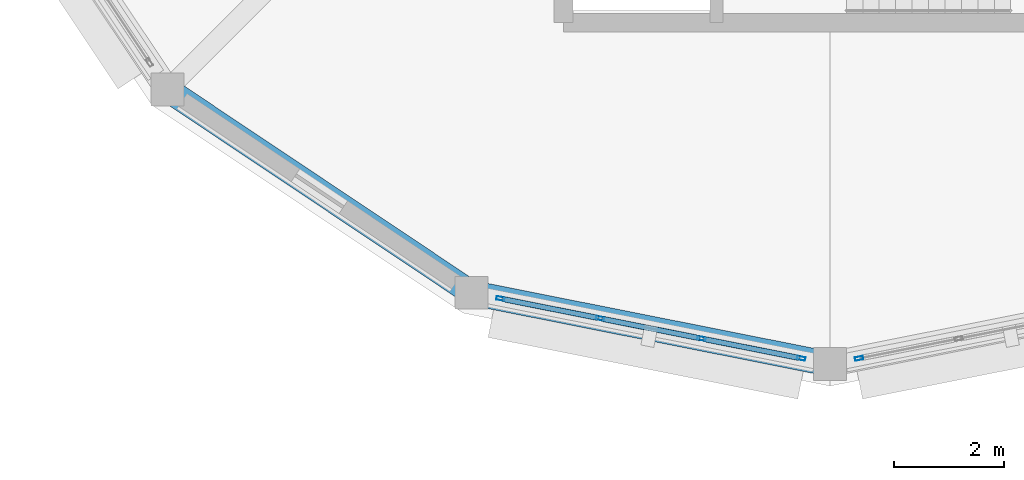
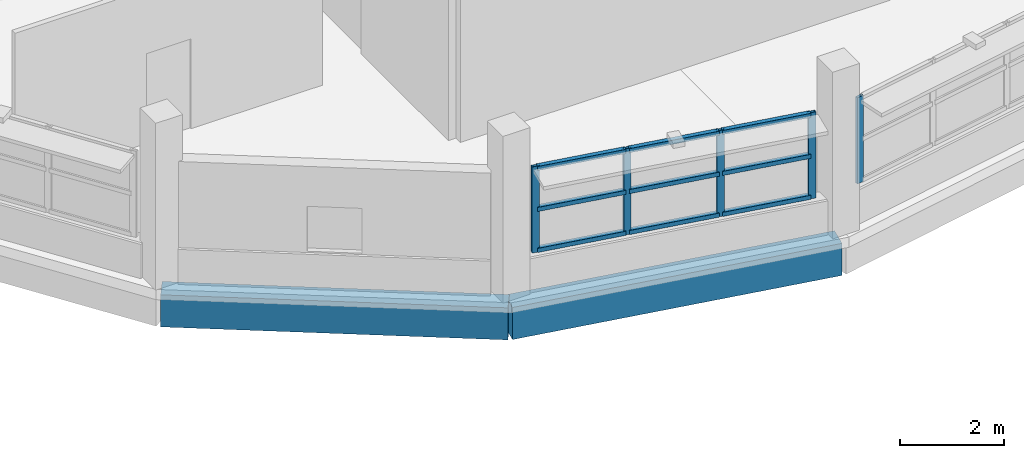
# One storey, part 64 of 121: 14 members, 2 beams, 2 elements without a shape of their own.
"""IFC4 building model written with IfcOpenShell, lengths in metres."""

from ifc_helpers import new_model, si_unit, direction, frame, origin, origin_2d, place, context, subcontext, project, spatial, rectangle, hollow_rectangle, extrude, material, layer, layer_set, material_profile, profile_set, type_object, element, aggregate, save


model = new_model("IFC4")

# Units and contexts
model_context = context("Model", 3, precision=1e-05, world=origin(), true_north=direction((0.0, 1.0)))
body_context = subcontext(model_context, "Body", "Model", "MODEL_VIEW")
ifc_project = project(units=[si_unit("LENGTHUNIT", "METRE"), si_unit("AREAUNIT", "SQUARE_METRE"), si_unit("VOLUMEUNIT", "CUBIC_METRE"), si_unit("PLANEANGLEUNIT", "RADIAN"), si_unit("MASSUNIT", "GRAM", prefix="KILO")], contexts=[model_context])

# Site, building, storey
site_placement = place(None, origin())
site = spatial("IfcSite", under=ifc_project, at=site_placement, CompositionType="ELEMENT")
building_placement = place(site_placement, origin())
building = spatial("IfcBuilding", under=site, at=building_placement, Name="Vespera Passage Community Centre", CompositionType="ELEMENT")
storey_placement = place(building_placement, frame((0.0, 0.0, 8.699951171875)))
storey = spatial("IfcBuildingStorey", under=building, at=storey_placement, Name="L02", CompositionType="ELEMENT", Elevation=8.699951171875)

# Beams
ifc_material_1 = material(Name="Concrete f'c 35 MPa", Category="concrete")
ifc_material_profile_1 = material_profile(ifc_material_1, rectangle(XDim=0.449951171875, YDim=0.75, at=origin_2d()), Name="RC450X750")
ifc_profile_set_1 = profile_set([ifc_material_profile_1], Name="Concrete f'c 35 MPa")
beam_type = type_object("IfcBeamType", Name="BM-SP-450X750E", PredefinedType="SPANDREL", material=ifc_profile_set_1)
for number, where, z_axis, x_axis, name in (
    (1, (128.908447265625, 12.908447265625, -0.614990234375), (0.831470004276, -0.55556964639, 0.0), (0.55556964639, 0.831470004276, 0.0), "V3 L02 Spandrel 11"),
    (2, (134.4560546875, 9.20166015625, -0.614990234375), (0.980782809509, -0.195102743632, 0.0), (0.195102743632, 0.980782809509, 0.0), "V3 L02 Spandrel 12"),
):
    element("IfcBeam", number, at=place(storey_placement, frame(where, z_axis=z_axis, x_axis=x_axis)), inside=storey, type_object=beam_type, Name=name, PredefinedType="SPANDREL", context=body_context, shape_type="SweptSolid", body=[
        extrude(rectangle(XDim=0.449951171875, YDim=0.75, at=origin_2d()), origin(), (0.0, 0.0, 1.0), 6.672119140625),
    ])

# Curtain wall, members
ifc_material_2 = material(Name="Anodized aluminium 6063-T6", Category="aluminium")
ifc_layer = layer(ifc_material_2, 0.159912109375)
ifc_layer_set = layer_set([ifc_layer], Name="Anodized aluminium 6063-T6")
curtain_wall_type = type_object("IfcCurtainWallType", Name="CW-108E", PredefinedType="NOTDEFINED", material=ifc_layer_set)
curtain_wall_1_placement = place(storey_placement, origin())
curtain_wall_1 = element("IfcCurtainWall", 3, at=curtain_wall_1_placement, inside=storey, type_object=curtain_wall_type, Name="Dining Drum Ribbon Curtain Wall L02.12", PredefinedType="NOTDEFINED")
ifc_material_3 = material(Name="Anodized aluminium 6063-T6", Category="aluminium")
ifc_material_profile_2 = material_profile(ifc_material_3, hollow_rectangle(XDim=0.06494140625, YDim=0.14990234375, WallThickness=0.00390625, InnerFilletRadius=0.001953125, OuterFilletRadius=0.00390625, at=origin_2d()), Name="ALU150X65X4")
ifc_profile_set_2 = profile_set([ifc_material_profile_2], Name="Anodized aluminium 6063-T6")
member_type_1 = type_object("IfcMemberType", Name="MB-CWM-150E", PredefinedType="MULLION", material=ifc_profile_set_2)
member_1_placement = place(storey_placement, frame((140.471923828125, 8.005126953125, 0.800048828125), z_axis=(0.0, 0.0, 1.0), x_axis=(-0.195096778691, -0.980783996069, 0.0)))
member_1 = element("IfcMember", 4, at=member_1_placement, type_object=member_type_1, Name="CW-108E mullion 1", PredefinedType="MULLION", context=body_context, shape_type="SweptSolid", body=[
    extrude(hollow_rectangle(XDim=0.06494140625, YDim=0.14990234375, WallThickness=0.00390625, InnerFilletRadius=0.001953125, OuterFilletRadius=0.00390625, at=origin_2d()), origin(), (0.0, 0.0, 1.0), 2.014892578125),
])
member_2_placement = place(storey_placement, frame((138.6533203125, 8.36669921875, 0.800048828125), z_axis=(0.0, 0.0, 1.0), x_axis=(-0.195096778691, -0.980783996069, 0.0)))
member_2 = element("IfcMember", 5, at=member_2_placement, type_object=member_type_1, Name="CW-108E mullion 2", PredefinedType="MULLION", context=body_context, shape_type="SweptSolid", body=[
    extrude(hollow_rectangle(XDim=0.06494140625, YDim=0.14990234375, WallThickness=0.00390625, InnerFilletRadius=0.001953125, OuterFilletRadius=0.00390625, at=origin_2d()), origin(), (0.0, 0.0, 1.0), 2.014892578125),
])
member_3_placement = place(storey_placement, frame((136.802734375, 8.73486328125, 0.800048828125), z_axis=(0.0, 0.0, 1.0), x_axis=(-0.195096778691, -0.980783996069, 0.0)))
member_3 = element("IfcMember", 6, at=member_3_placement, type_object=member_type_1, Name="CW-108E mullion 3", PredefinedType="MULLION", context=body_context, shape_type="SweptSolid", body=[
    extrude(hollow_rectangle(XDim=0.06494140625, YDim=0.14990234375, WallThickness=0.00390625, InnerFilletRadius=0.001953125, OuterFilletRadius=0.00390625, at=origin_2d()), origin(), (0.0, 0.0, 1.0), 2.014892578125),
])
member_4_placement = place(storey_placement, frame((134.984130859375, 9.0966796875, 0.800048828125), z_axis=(0.0, 0.0, 1.0), x_axis=(-0.195096778691, -0.980783996069, 0.0)))
member_4 = element("IfcMember", 7, at=member_4_placement, type_object=member_type_1, Name="CW-108E mullion 4", PredefinedType="MULLION", context=body_context, shape_type="SweptSolid", body=[
    extrude(hollow_rectangle(XDim=0.06494140625, YDim=0.14990234375, WallThickness=0.00390625, InnerFilletRadius=0.001953125, OuterFilletRadius=0.00390625, at=origin_2d()), origin(), (0.0, 0.0, 1.0), 2.014892578125),
])

# Curtain wall, member
curtain_wall_2_placement = place(storey_placement, origin())
curtain_wall_2 = element("IfcCurtainWall", 8, at=curtain_wall_2_placement, inside=storey, type_object=curtain_wall_type, Name="Dining Drum Ribbon Curtain Wall L02.13", PredefinedType="NOTDEFINED")
member_5_placement = place(storey_placement, frame((141.528076171875, 8.005126953125, 0.800048828125), z_axis=(0.0, 0.0, 1.0), x_axis=(0.195096778691, -0.980783996069, 0.0)))
member_5 = element("IfcMember", 9, at=member_5_placement, type_object=member_type_1, Name="CW-108E mullion 4", PredefinedType="MULLION", context=body_context, shape_type="SweptSolid", body=[
    extrude(hollow_rectangle(XDim=0.06494140625, YDim=0.14990234375, WallThickness=0.00390625, InnerFilletRadius=0.001953125, OuterFilletRadius=0.00390625, at=origin_2d()), origin(), (0.0, 0.0, 1.0), 2.014892578125),
])
aggregate(curtain_wall_2, [member_5])

# Member
ifc_material_4 = material(Name="Anodized aluminium 6063-T6", Category="aluminium")
ifc_material_profile_3 = material_profile(ifc_material_4, hollow_rectangle(XDim=0.10009765625, YDim=0.10009765625, WallThickness=0.00390625, InnerFilletRadius=0.001953125, OuterFilletRadius=0.00390625, at=origin_2d()), Name="ALU100X100X4")
ifc_profile_set_3 = profile_set([ifc_material_profile_3], Name="Anodized aluminium 6063-T6")
member_type_2 = type_object("IfcMemberType", Name="MB-CWT-100E", PredefinedType="USERDEFINED", material=ifc_profile_set_3)
member_6_placement = place(storey_placement, frame((140.43994140625, 8.011474609375, 0.85009765625), z_axis=(-0.980805694528, 0.194987665203, 0.0), x_axis=(-0.194987665203, -0.980805694528, 0.0)))
member_6 = element("IfcMember", 10, at=member_6_placement, type_object=member_type_2, Name="CW-108E transom 1.1", ObjectType="TRANSOM", PredefinedType="USERDEFINED", context=body_context, shape_type="SweptSolid", body=[
    extrude(hollow_rectangle(XDim=0.10009765625, YDim=0.10009765625, WallThickness=0.00390625, InnerFilletRadius=0.001953125, OuterFilletRadius=0.00390625, at=origin_2d()), origin(), (0.0, 0.0, 1.0), 1.789306640625),
])

member_7_placement = place(storey_placement, frame((140.43994140625, 8.011474609375, 1.8076171875), z_axis=(-0.980805694528, 0.194987665203, 0.0), x_axis=(-0.194987665203, -0.980805694528, 0.0)))
member_7 = element("IfcMember", 11, at=member_7_placement, type_object=member_type_2, Name="CW-108E transom 1.2", ObjectType="TRANSOM", PredefinedType="USERDEFINED", context=body_context, shape_type="SweptSolid", body=[
    extrude(hollow_rectangle(XDim=0.10009765625, YDim=0.10009765625, WallThickness=0.00390625, InnerFilletRadius=0.001953125, OuterFilletRadius=0.00390625, at=origin_2d()), origin(), (0.0, 0.0, 1.0), 1.789306640625),
])

member_8_placement = place(storey_placement, frame((140.43994140625, 8.011474609375, 2.76513671875), z_axis=(-0.980805694528, 0.194987665203, 0.0), x_axis=(-0.194987665203, -0.980805694528, 0.0)))
member_8 = element("IfcMember", 12, at=member_8_placement, type_object=member_type_2, Name="CW-108E transom 1.3", ObjectType="TRANSOM", PredefinedType="USERDEFINED", context=body_context, shape_type="SweptSolid", body=[
    extrude(hollow_rectangle(XDim=0.10009765625, YDim=0.10009765625, WallThickness=0.00390625, InnerFilletRadius=0.001953125, OuterFilletRadius=0.00390625, at=origin_2d()), origin(), (0.0, 0.0, 1.0), 1.789306640625),
])

member_9_placement = place(storey_placement, frame((138.621337890625, 8.373046875, 0.85009765625), z_axis=(-0.980776065507, 0.195136642714, 0.0), x_axis=(-0.195136642714, -0.980776065507, 0.0)))
member_9 = element("IfcMember", 13, at=member_9_placement, type_object=member_type_2, Name="CW-108E transom 2.1", ObjectType="TRANSOM", PredefinedType="USERDEFINED", context=body_context, shape_type="SweptSolid", body=[
    extrude(hollow_rectangle(XDim=0.10009765625, YDim=0.10009765625, WallThickness=0.00390625, InnerFilletRadius=0.001953125, OuterFilletRadius=0.00390625, at=origin_2d()), origin(), (0.0, 0.0, 1.0), 1.821533203125),
])

member_10_placement = place(storey_placement, frame((138.621337890625, 8.373046875, 1.8076171875), z_axis=(-0.980776065507, 0.195136642714, 0.0), x_axis=(-0.195136642714, -0.980776065507, 0.0)))
member_10 = element("IfcMember", 14, at=member_10_placement, type_object=member_type_2, Name="CW-108E transom 2.2", ObjectType="TRANSOM", PredefinedType="USERDEFINED", context=body_context, shape_type="SweptSolid", body=[
    extrude(hollow_rectangle(XDim=0.10009765625, YDim=0.10009765625, WallThickness=0.00390625, InnerFilletRadius=0.001953125, OuterFilletRadius=0.00390625, at=origin_2d()), origin(), (0.0, 0.0, 1.0), 1.821533203125),
])

member_11_placement = place(storey_placement, frame((138.621337890625, 8.373046875, 2.76513671875), z_axis=(-0.980776065507, 0.195136642714, 0.0), x_axis=(-0.195136642714, -0.980776065507, 0.0)))
member_11 = element("IfcMember", 15, at=member_11_placement, type_object=member_type_2, Name="CW-108E transom 2.3", ObjectType="TRANSOM", PredefinedType="USERDEFINED", context=body_context, shape_type="SweptSolid", body=[
    extrude(hollow_rectangle(XDim=0.10009765625, YDim=0.10009765625, WallThickness=0.00390625, InnerFilletRadius=0.001953125, OuterFilletRadius=0.00390625, at=origin_2d()), origin(), (0.0, 0.0, 1.0), 1.821533203125),
])

member_12_placement = place(storey_placement, frame((136.77099609375, 8.7412109375, 0.85009765625), z_axis=(-0.980779590975, 0.195118922523, 0.0), x_axis=(-0.195118922523, -0.980779590975, 0.0)))
member_12 = element("IfcMember", 16, at=member_12_placement, type_object=member_type_2, Name="CW-108E transom 3.1", ObjectType="TRANSOM", PredefinedType="USERDEFINED", context=body_context, shape_type="SweptSolid", body=[
    extrude(hollow_rectangle(XDim=0.10009765625, YDim=0.10009765625, WallThickness=0.00390625, InnerFilletRadius=0.001953125, OuterFilletRadius=0.00390625, at=origin_2d()), origin(), (0.0, 0.0, 1.0), 1.789306640625),
])

member_13_placement = place(storey_placement, frame((136.77099609375, 8.7412109375, 1.8076171875), z_axis=(-0.980779590975, 0.195118922523, 0.0), x_axis=(-0.195118922523, -0.980779590975, 0.0)))
member_13 = element("IfcMember", 17, at=member_13_placement, type_object=member_type_2, Name="CW-108E transom 3.2", ObjectType="TRANSOM", PredefinedType="USERDEFINED", context=body_context, shape_type="SweptSolid", body=[
    extrude(hollow_rectangle(XDim=0.10009765625, YDim=0.10009765625, WallThickness=0.00390625, InnerFilletRadius=0.001953125, OuterFilletRadius=0.00390625, at=origin_2d()), origin(), (0.0, 0.0, 1.0), 1.789306640625),
])

member_14_placement = place(storey_placement, frame((136.77099609375, 8.7412109375, 2.76513671875), z_axis=(-0.980779590975, 0.195118922523, 0.0), x_axis=(-0.195118922523, -0.980779590975, 0.0)))
member_14 = element("IfcMember", 18, at=member_14_placement, type_object=member_type_2, Name="CW-108E transom 3.3", ObjectType="TRANSOM", PredefinedType="USERDEFINED", context=body_context, shape_type="SweptSolid", body=[
    extrude(hollow_rectangle(XDim=0.10009765625, YDim=0.10009765625, WallThickness=0.00390625, InnerFilletRadius=0.001953125, OuterFilletRadius=0.00390625, at=origin_2d()), origin(), (0.0, 0.0, 1.0), 1.789306640625),
])

aggregate(curtain_wall_1, [member_1, member_2, member_3, member_4, member_6, member_7, member_8, member_9, member_10, member_11, member_12, member_13, member_14])

save(model, "model.ifc")
